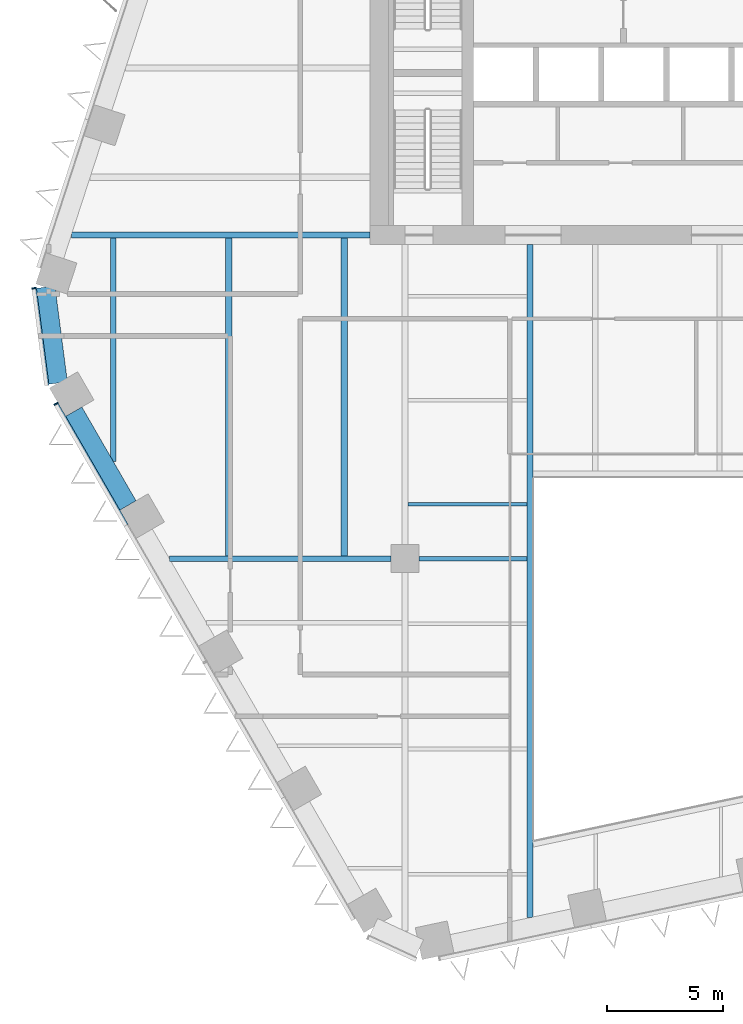
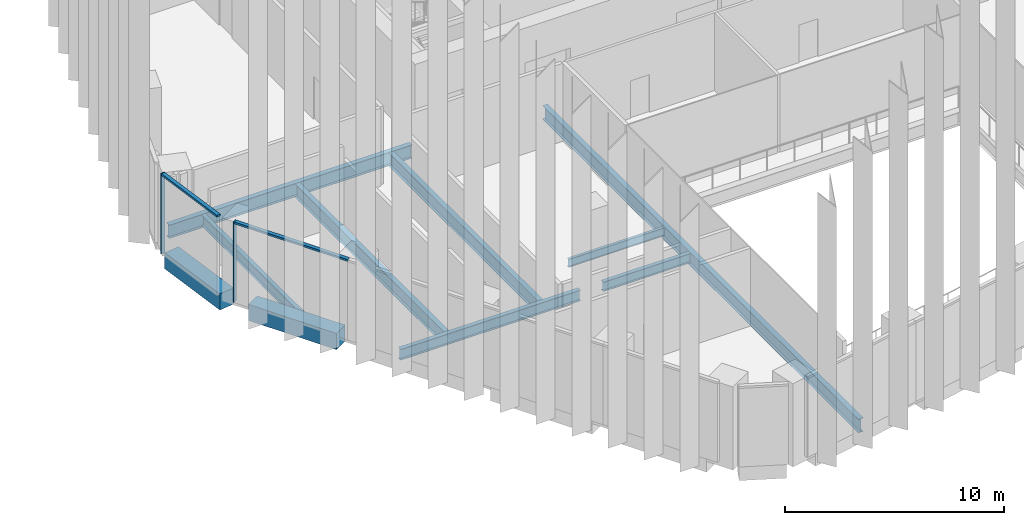
# One storey, part 3 of 18: 10 beams, 4 members, 2 elements without a shape of their own.
"""IFC4 building model written with IfcOpenShell, lengths in metres."""

from ifc_helpers import new_model, si_unit, direction, frame, origin, origin_2d, place, context, subcontext, project, spatial, rectangle, i_section, extrude, material, layer, layer_set, material_profile, profile_set, type_object, element, aggregate, save


model = new_model("IFC4")

# Units and contexts
model_context = context("Model", 3, precision=1e-05, world=origin(), true_north=direction((0.0, 1.0)))
body_context = subcontext(model_context, "Body", "Model", "MODEL_VIEW")
ifc_project = project(units=[si_unit("LENGTHUNIT", "METRE"), si_unit("AREAUNIT", "SQUARE_METRE"), si_unit("VOLUMEUNIT", "CUBIC_METRE"), si_unit("PLANEANGLEUNIT", "RADIAN"), si_unit("MASSUNIT", "GRAM", prefix="KILO")], contexts=[model_context])

# Site, building, storey
site_placement = place(None, origin())
site = spatial("IfcSite", under=ifc_project, at=site_placement, CompositionType="ELEMENT")
building_placement = place(site_placement, origin())
building = spatial("IfcBuilding", under=site, at=building_placement, Name="Isthmus Gate Tower", CompositionType="ELEMENT")
storey_placement = place(building_placement, frame((0.0, 0.0, 166.300048828125)))
storey = spatial("IfcBuildingStorey", under=building, at=storey_placement, Name="L41", CompositionType="ELEMENT", Elevation=166.300048828125)

# Curtain wall, member
ifc_material_1 = material(Name="Aluminium, pale champagne anodised", Category="aluminium")
ifc_layer = layer(ifc_material_1, 0.199951171875)
ifc_layer_set = layer_set([ifc_layer], Name="CW-2 LOUVRE CURTAIN WALL 200 DEEP")
curtain_wall_type = type_object("IfcCurtainWallType", Name="CW-2 LOUVRE CURTAIN WALL 200 DEEP", PredefinedType="NOTDEFINED", material=ifc_layer_set)
curtain_wall_1_placement = place(storey_placement, origin())
curtain_wall_1 = element("IfcCurtainWall", 1, at=curtain_wall_1_placement, inside=storey, type_object=curtain_wall_type, Name="CW-2 NW-SW L41", PredefinedType="NOTDEFINED")
ifc_material_2 = material(Name="Aluminium, pale champagne anodised", Category="aluminium")
ifc_material_profile_1 = material_profile(ifc_material_2, rectangle(XDim=0.06005859375, YDim=0.199951171875, at=origin_2d()), Name="60x200")
ifc_profile_set_1 = profile_set([ifc_material_profile_1], Name="Aluminium, pale champagne anodised")
member_type_1 = type_object("IfcMemberType", Name="CW-2 MULLION 60 X 200", PredefinedType="MULLION", material=ifc_profile_set_1)
member_1_placement = place(storey_placement, frame((-29.42724609375, -1.88525390625, 0.0), z_axis=(0.0, 0.0, 1.0), x_axis=(0.129164534, -0.991623175988, 0.0)))
member_1 = element("IfcMember", 2, at=member_1_placement, type_object=member_type_1, Name="CW-2 mullion", PredefinedType="MULLION", context=body_context, shape_type="SweptSolid", body=[
    extrude(rectangle(XDim=0.06005859375, YDim=0.199951171875, at=origin_2d()), origin(), (0.0, 0.0, 1.0), 4.5),
])

curtain_wall_2_placement = place(storey_placement, origin())
curtain_wall_2 = element("IfcCurtainWall", 3, at=curtain_wall_2_placement, inside=storey, type_object=curtain_wall_type, Name="CW-2 SW L41", PredefinedType="NOTDEFINED")
member_2_placement = place(storey_placement, frame((-28.489501953125, -6.8544921875, 0.0), z_axis=(0.0, 0.0, 1.0), x_axis=(0.5, -0.866025403784, 0.0)))
member_2 = element("IfcMember", 4, at=member_2_placement, type_object=member_type_1, Name="CW-2 mullion", PredefinedType="MULLION", context=body_context, shape_type="SweptSolid", body=[
    extrude(rectangle(XDim=0.06005859375, YDim=0.199951171875, at=origin_2d()), origin(), (0.0, 0.0, 1.0), 4.5),
])

# Member
ifc_material_3 = material(Name="Aluminium, pale champagne anodised", Category="aluminium")
ifc_material_profile_2 = material_profile(ifc_material_3, rectangle(XDim=0.199951171875, YDim=0.110107421875, at=origin_2d()), Name="200x110")
ifc_profile_set_2 = profile_set([ifc_material_profile_2], Name="Aluminium, pale champagne anodised")
member_type_2 = type_object("IfcMemberType", Name="CW-2 TRANSOM 200 X 110", PredefinedType="USERDEFINED", material=ifc_profile_set_2)
member_3_placement = place(storey_placement, frame((-29.42333984375, -1.9150390625, 4.445068359375), z_axis=(0.129149481977, -0.991625136483, 0.0), x_axis=(0.991625136483, 0.129149481977, 0.0)))
member_3 = element("IfcMember", 5, at=member_3_placement, type_object=member_type_2, Name="CW-2 transom", ObjectType="TRANSOM", PredefinedType="USERDEFINED", context=body_context, shape_type="SweptSolid", body=[
    extrude(rectangle(XDim=0.199951171875, YDim=0.110107421875, at=origin_2d()), origin(), (0.0, 0.0, 1.0), 4.181396484375),
])

aggregate(curtain_wall_1, [member_1, member_3])

member_4_placement = place(storey_placement, frame((-28.474609375, -6.880615234375, 4.445068359375), z_axis=(0.500014106551, -0.86601725921, 0.0), x_axis=(0.86601725921, 0.500014106551, 0.0)))
member_4 = element("IfcMember", 6, at=member_4_placement, type_object=member_type_2, Name="CW-2 transom", ObjectType="TRANSOM", PredefinedType="USERDEFINED", context=body_context, shape_type="SweptSolid", body=[
    extrude(rectangle(XDim=0.199951171875, YDim=0.110107421875, at=origin_2d()), origin(), (0.0, 0.0, 1.0), 5.989990234375),
])

aggregate(curtain_wall_2, [member_2, member_4])

# Beams
ifc_material_4 = material(Name="Concrete f'c 60 MPa", Category="concrete")
ifc_material_profile_3 = material_profile(ifc_material_4, rectangle(XDim=0.800048828125, YDim=0.89990234375, at=origin_2d()), Name="RC 800X900")
ifc_profile_set_3 = profile_set([ifc_material_profile_3], Name="Concrete f'c 60 MPa")
beam_type_1 = type_object("IfcBeamType", Name="RC SPANDREL 800 X 900", PredefinedType="SPANDREL", material=ifc_profile_set_3)
beam_1_placement = place(storey_placement, frame((-25.396484375, -11.2119140625, -0.449951171875), z_axis=(-0.500023913295, 0.866011596997, 0.0), x_axis=(-0.866011596997, -0.500023913295, 0.0)))
element("IfcBeam", 7, at=beam_1_placement, inside=storey, type_object=beam_type_1, Name="str-spandrel-L41-19", PredefinedType="SPANDREL", context=body_context, shape_type="SweptSolid", body=[
    extrude(rectangle(XDim=0.800048828125, YDim=0.89990234375, at=origin_2d()), origin(), (0.0, 0.0, 1.0), 4.650146484375),
])
beam_2_placement = place(storey_placement, frame((-28.392822265625, -5.955810546875, -0.449951171875), z_axis=(-0.129170777359, 0.991622362735, 0.0), x_axis=(-0.991622362735, -0.129170777359, 0.0)))
element("IfcBeam", 8, at=beam_2_placement, inside=storey, type_object=beam_type_1, Name="str-spandrel-L41-20", PredefinedType="SPANDREL", context=body_context, shape_type="SweptSolid", body=[
    extrude(rectangle(XDim=0.800048828125, YDim=0.89990234375, at=origin_2d()), origin(), (0.0, 0.0, 1.0), 4.15234375),
])
ifc_material_5 = material(Name="Structural steel ASTM A992 Gr 50", Category="steel")
ifc_material_profile_4 = material_profile(ifc_material_5, i_section(OverallWidth=0.15234375, OverallDepth=0.45068359375, WebThickness=0.0078125, FlangeThickness=0.010986328125, at=origin_2d()), Name="W18X35")
ifc_profile_set_4 = profile_set([ifc_material_profile_4], Name="Structural steel ASTM A992 Gr 50")
beam_type_2 = type_object("IfcBeamType", Name="STEEL FLOOR BEAM W18X35", PredefinedType="JOIST", material=ifc_profile_set_4)
beam_3_placement = place(storey_placement, frame((-13.3681640625, -11.16259765625, -0.525390625), z_axis=(1.0, 0.0, 0.0), x_axis=(0.0, 1.0, 0.0)))
element("IfcBeam", 9, at=beam_3_placement, inside=storey, type_object=beam_type_2, Name="str-beam-L41-04-00", PredefinedType="JOIST", context=body_context, shape_type="SweptSolid", body=[
    extrude(i_section(OverallWidth=0.15234375, OverallDepth=0.45068359375, WebThickness=0.0078125, FlangeThickness=0.010986328125, at=origin_2d()), origin(), (0.0, 0.0, 1.0), 5.1015625),
])
ifc_material_6 = material(Name="Structural steel ASTM A992 Gr 50", Category="steel")
ifc_material_profile_5 = material_profile(ifc_material_6, i_section(OverallWidth=0.228515625, OverallDepth=0.603271484375, WebThickness=0.010986328125, FlangeThickness=0.014404296875, at=origin_2d()), Name="W24X68")
ifc_profile_set_5 = profile_set([ifc_material_profile_5], Name="Structural steel ASTM A992 Gr 50")
beam_type_3 = type_object("IfcBeamType", Name="STEEL FLOOR BEAM W24X68", PredefinedType="JOIST", material=ifc_profile_set_5)
beam_4_placement = place(storey_placement, frame((-26.028564453125, -9.317138671875, -0.6015625), z_axis=(0.0, 1.0, 0.0), x_axis=(-1.0, 0.0, 0.0)))
element("IfcBeam", 10, at=beam_4_placement, inside=storey, type_object=beam_type_3, Name="str-beam-L41-00-00", PredefinedType="JOIST", context=body_context, shape_type="SweptSolid", body=[
    extrude(i_section(OverallWidth=0.228515625, OverallDepth=0.603271484375, WebThickness=0.010986328125, FlangeThickness=0.014404296875, at=origin_2d()), origin(), (0.0, 0.0, 1.0), 9.58544921875),
])
ifc_material_7 = material(Name="Structural steel ASTM A992 Gr 50", Category="steel")
ifc_material_profile_6 = material_profile(ifc_material_7, i_section(OverallWidth=0.263427734375, OverallDepth=0.749267578125, WebThickness=0.0126953125, FlangeThickness=0.015869140625, at=origin_2d()), Name="W30X90")
ifc_profile_set_6 = profile_set([ifc_material_profile_6], Name="Structural steel ASTM A992 Gr 50")
beam_type_4 = type_object("IfcBeamType", Name="STEEL FLOOR BEAM W30X90", PredefinedType="JOIST", material=ifc_profile_set_6)
for number, where, z_axis, x_axis, name in (
    (11, (-21.06982421875, -13.3857421875, -0.6748046875), (0.0, 1.0, 0.0), (-1.0, 0.0, 0.0), "str-beam-L41-00-01"),
    (12, (-16.111083984375, -13.3857421875, -0.6748046875), (0.0, 1.0, 0.0), (-1.0, 0.0, 0.0), "str-beam-L41-00-02"),
):
    element("IfcBeam", number, at=place(storey_placement, frame(where, z_axis=z_axis, x_axis=x_axis)), inside=storey, type_object=beam_type_4, Name=name, PredefinedType="JOIST", context=body_context, shape_type="SweptSolid", body=[
        extrude(i_section(OverallWidth=0.263427734375, OverallDepth=0.749267578125, WebThickness=0.0126953125, FlangeThickness=0.015869140625, at=origin_2d()), origin(), (0.0, 0.0, 1.0), 13.654052734375),
    ])
ifc_material_8 = material(Name="Structural steel ASTM A992 Gr 50", Category="steel")
ifc_material_profile_7 = material_profile(ifc_material_8, i_section(OverallWidth=0.20947265625, OverallDepth=0.533447265625, WebThickness=0.009521484375, FlangeThickness=0.015869140625, at=origin_2d()), Name="W21X62")
ifc_profile_set_7 = profile_set([ifc_material_profile_7], Name="Structural steel ASTM A992 Gr 50")
beam_type_5 = type_object("IfcBeamType", Name="STEEL GIRDER W21X62", PredefinedType="BEAM", material=ifc_profile_set_7)
beam_5_placement = place(storey_placement, frame((-12.89990234375, -13.5, -0.566650390625), z_axis=(1.0, 0.0, 0.0), x_axis=(0.0, 1.0, 0.0)))
element("IfcBeam", 13, at=beam_5_placement, inside=storey, type_object=beam_type_5, Name="str-girder-L41-02", PredefinedType="BEAM", context=body_context, shape_type="SweptSolid", body=[
    extrude(i_section(OverallWidth=0.20947265625, OverallDepth=0.533447265625, WebThickness=0.009521484375, FlangeThickness=0.015869140625, at=origin_2d()), origin(), (0.0, 0.0, 1.0), 4.63330078125),
])
ifc_material_9 = material(Name="Structural steel ASTM A992 Gr 50", Category="steel")
ifc_material_profile_8 = material_profile(ifc_material_9, i_section(OverallWidth=0.228515625, OverallDepth=0.6064453125, WebThickness=0.010986328125, FlangeThickness=0.017578125, at=origin_2d()), Name="W24X76")
ifc_profile_set_8 = profile_set([ifc_material_profile_8], Name="Structural steel ASTM A992 Gr 50")
beam_type_6 = type_object("IfcBeamType", Name="STEEL GIRDER W24X76", PredefinedType="BEAM", material=ifc_profile_set_8)
beam_6_placement = place(storey_placement, frame((-23.613525390625, -13.5, -0.603271484375), z_axis=(1.0, 0.0, 0.0), x_axis=(0.0, 1.0, 0.0)))
element("IfcBeam", 14, at=beam_6_placement, inside=storey, type_object=beam_type_6, Name="str-girder-L41-01", PredefinedType="BEAM", context=body_context, shape_type="SweptSolid", body=[
    extrude(i_section(OverallWidth=0.228515625, OverallDepth=0.6064453125, WebThickness=0.010986328125, FlangeThickness=0.017578125, at=origin_2d()), origin(), (0.0, 0.0, 1.0), 9.513427734375),
])
ifc_material_10 = material(Name="Structural steel ASTM A992 Gr 50", Category="steel")
ifc_material_profile_9 = material_profile(ifc_material_10, i_section(OverallWidth=0.263427734375, OverallDepth=0.749267578125, WebThickness=0.0126953125, FlangeThickness=0.015869140625, at=origin_2d()), Name="W30X90")
ifc_profile_set_9 = profile_set([ifc_material_profile_9], Name="Structural steel ASTM A992 Gr 50")
beam_type_7 = type_object("IfcBeamType", Name="STEEL GIRDER W30X90", PredefinedType="BEAM", material=ifc_profile_set_9)
beam_7_placement = place(storey_placement, frame((-15.0, 0.39990234375, -0.6748046875), z_axis=(-1.0, 0.0, 0.0), x_axis=(0.0, -1.0, 0.0)))
element("IfcBeam", 15, at=beam_7_placement, inside=storey, type_object=beam_type_7, Name="str-girder-L41-13", PredefinedType="BEAM", context=body_context, shape_type="SweptSolid", body=[
    extrude(i_section(OverallWidth=0.263427734375, OverallDepth=0.749267578125, WebThickness=0.0126953125, FlangeThickness=0.015869140625, at=origin_2d()), origin(), (0.0, 0.0, 1.0), 12.826416015625),
])
ifc_material_11 = material(Name="Structural steel ASTM A992 Gr 50", Category="steel")
ifc_material_profile_10 = material_profile(ifc_material_11, i_section(OverallWidth=0.2666015625, OverallDepth=0.7587890625, WebThickness=0.014404296875, FlangeThickness=0.01904296875, at=origin_2d()), Name="W30X108")
ifc_profile_set_10 = profile_set([ifc_material_profile_10], Name="Structural steel ASTM A992 Gr 50")
beam_type_8 = type_object("IfcBeamType", Name="STEEL TRIMMER W30X108", PredefinedType="BEAM", material=ifc_profile_set_10)
beam_8_placement = place(storey_placement, frame((-8.13330078125, 0.0, -0.679443359375), z_axis=(0.0, -1.0, 0.0), x_axis=(1.0, 0.0, 0.0)))
element("IfcBeam", 16, at=beam_8_placement, inside=storey, type_object=beam_type_8, Name="str-trimmer-L41-02", PredefinedType="BEAM", context=body_context, shape_type="SweptSolid", body=[
    extrude(i_section(OverallWidth=0.2666015625, OverallDepth=0.7587890625, WebThickness=0.014404296875, FlangeThickness=0.01904296875, at=origin_2d()), origin(), (0.0, 0.0, 1.0), 28.910888671875),
])

save(model, "model.ifc")
